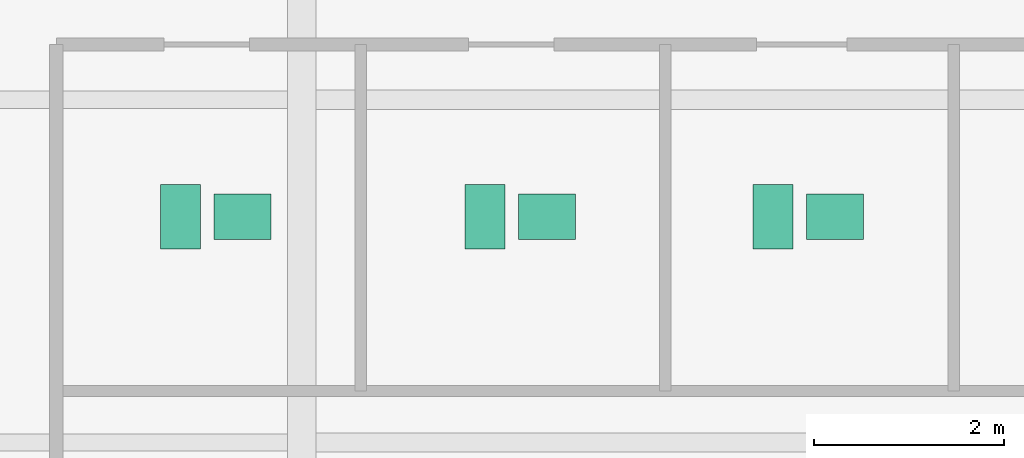
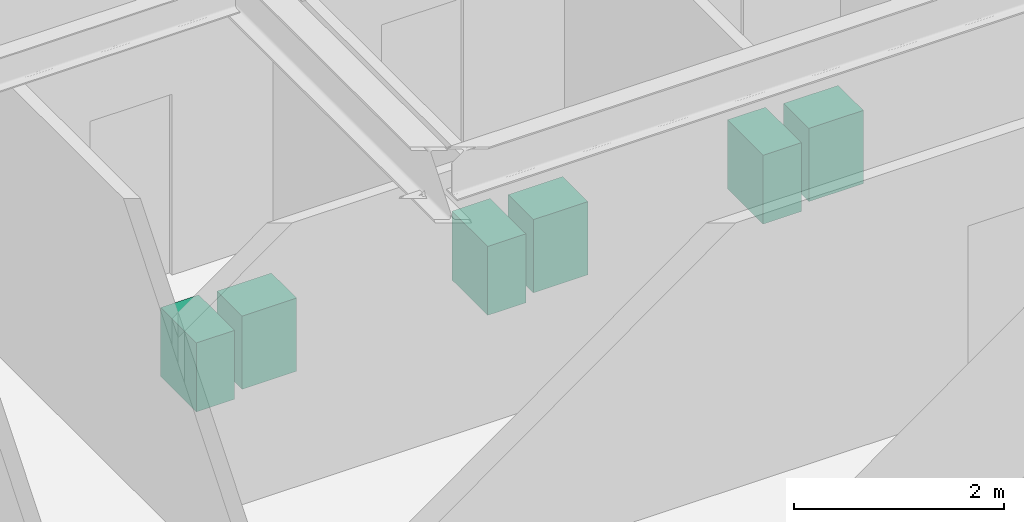
# One storey, part 27 of 27: 6 sanitary terminals.
"""IFC4 building model written with IfcOpenShell, lengths in metres."""

from ifc_helpers import new_model, si_unit, direction, frame, origin, origin_2d, place, context, subcontext, project, spatial, rectangle, extrude, source, transform, mapped, material, type_object, type_shapes, element, save


model = new_model("IFC4")

# Units and contexts
model_context = context("Model", 3, precision=1e-05, world=origin(), true_north=direction((0.0, 1.0)))
body_context = subcontext(model_context, "Body", "Model", "MODEL_VIEW")
ifc_project = project(units=[si_unit("LENGTHUNIT", "METRE"), si_unit("AREAUNIT", "SQUARE_METRE"), si_unit("VOLUMEUNIT", "CUBIC_METRE"), si_unit("PLANEANGLEUNIT", "RADIAN"), si_unit("MASSUNIT", "GRAM", prefix="KILO")], contexts=[model_context])

# Site, building, storey
site_placement = place(None, origin())
site = spatial("IfcSite", under=ifc_project, at=site_placement, CompositionType="ELEMENT")
building_placement = place(site_placement, origin())
building = spatial("IfcBuilding", under=site, at=building_placement, Name="Krantzveldt Concourse Tower", CompositionType="ELEMENT")
storey_placement = place(building_placement, frame((0.0, 0.0, 121.64990234375)))
storey = spatial("IfcBuildingStorey", under=building, at=storey_placement, Name="L29", CompositionType="ELEMENT", Elevation=121.64990234375)

# Sanitary terminals
ifc_material = material(Name="Vitreous china", Category="ceramic")
sanitary_terminal_type_1 = type_object("IfcSanitaryTerminalType", Name="SAN-WC-SUITE", PredefinedType="TOILETPAN", material=ifc_material)
shared_shape_1 = source(origin(), body_context, "Body", "SweptSolid", [
    extrude(rectangle(XDim=0.419921875, YDim=0.679931640625, at=origin_2d()), origin(), (0.0, 0.0, 1.0), 0.800048828125),
])
type_shapes(sanitary_terminal_type_1, [shared_shape_1])
for number, where, z_axis, x_axis, name in (
    (1, (29.324951171875, 32.570068359375, 0.0), (0.0, 0.0, 1.0), (1.0, 0.0, 0.0), "WC-SP-L29-WCM"),
    (2, (32.52490234375, 32.570068359375, 0.0), (0.0, 0.0, 1.0), (1.0, 0.0, 0.0), "WC-SP-L29-WCF"),
    (3, (35.550048828125, 32.570068359375, 0.0), (0.0, 0.0, 1.0), (1.0, 0.0, 0.0), "WC-SP-L29-WCA"),
):
    element("IfcSanitaryTerminal", number, at=place(storey_placement, frame(where, z_axis=z_axis, x_axis=x_axis)), inside=storey, type_object=sanitary_terminal_type_1, Name=name, PredefinedType="TOILETPAN", context=body_context, shape_type="MappedRepresentation", body=[
        mapped(shared_shape_1, transform((0.0, 0.0, 0.0), x_axis=(1.0, 0.0, 0.0), y_axis=(0.0, 1.0, 0.0), z_axis=(0.0, 0.0, 1.0), scale=1.0)),
    ])
sanitary_terminal_type_2 = type_object("IfcSanitaryTerminalType", Name="SAN-BASIN-600", PredefinedType="WASHHANDBASIN", material=ifc_material)
shared_shape_2 = source(origin(), body_context, "Body", "SweptSolid", [
    extrude(rectangle(XDim=0.60009765625, YDim=0.47998046875, at=origin_2d()), origin(), (0.0, 0.0, 1.0), 0.85009765625),
])
type_shapes(sanitary_terminal_type_2, [shared_shape_2])
for number, where, z_axis, x_axis, name in (
    (4, (29.97509765625, 32.570068359375, 0.005126953125), (0.0, 0.0, 1.0), (1.0, 0.0, 0.0), "BSN-SP-L29-WCM"),
    (5, (33.175048828125, 32.570068359375, 0.005126953125), (0.0, 0.0, 1.0), (1.0, 0.0, 0.0), "BSN-SP-L29-WCF"),
    (6, (36.199951171875, 32.570068359375, 0.005126953125), (0.0, 0.0, 1.0), (1.0, 0.0, 0.0), "BSN-SP-L29-WCA"),
):
    element("IfcSanitaryTerminal", number, at=place(storey_placement, frame(where, z_axis=z_axis, x_axis=x_axis)), inside=storey, type_object=sanitary_terminal_type_2, Name=name, PredefinedType="WASHHANDBASIN", context=body_context, shape_type="MappedRepresentation", body=[
        mapped(shared_shape_2, transform((0.0, 0.0, 0.0), x_axis=(1.0, 0.0, 0.0), y_axis=(0.0, 1.0, 0.0), z_axis=(0.0, 0.0, 1.0), scale=1.0)),
    ])

save(model, "model.ifc")
